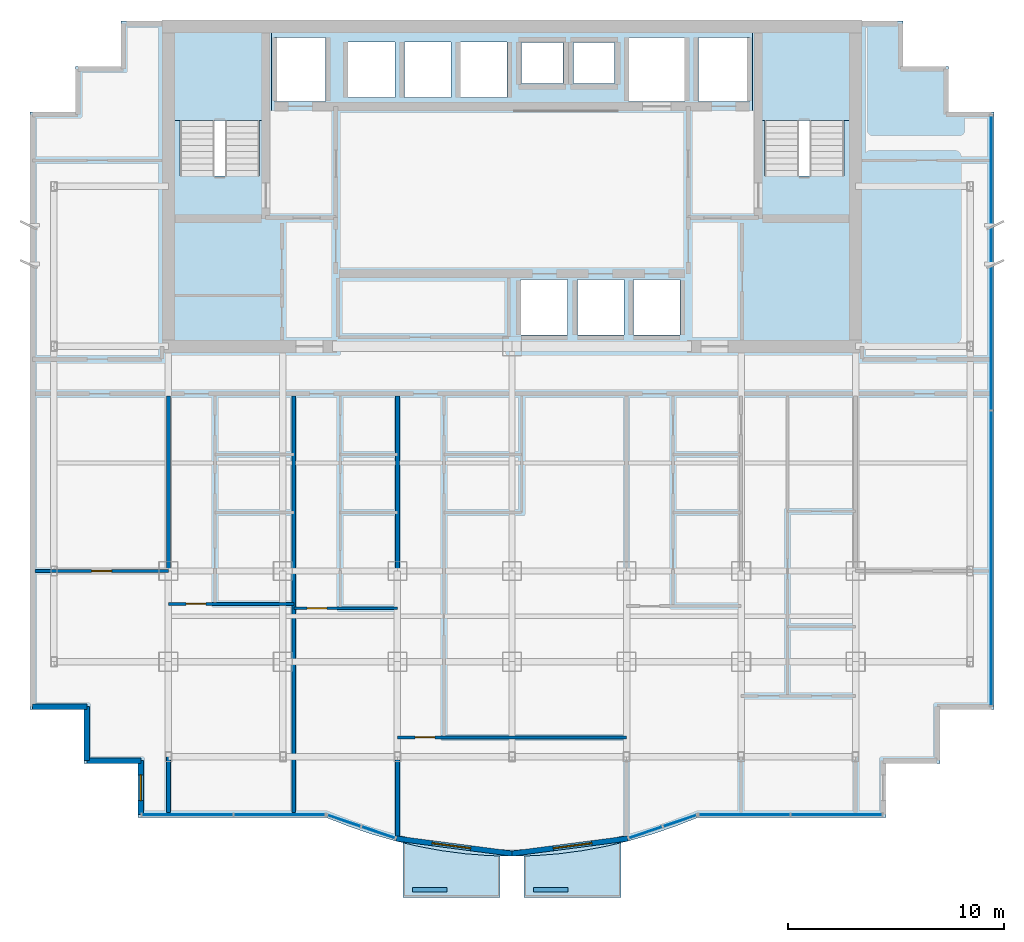
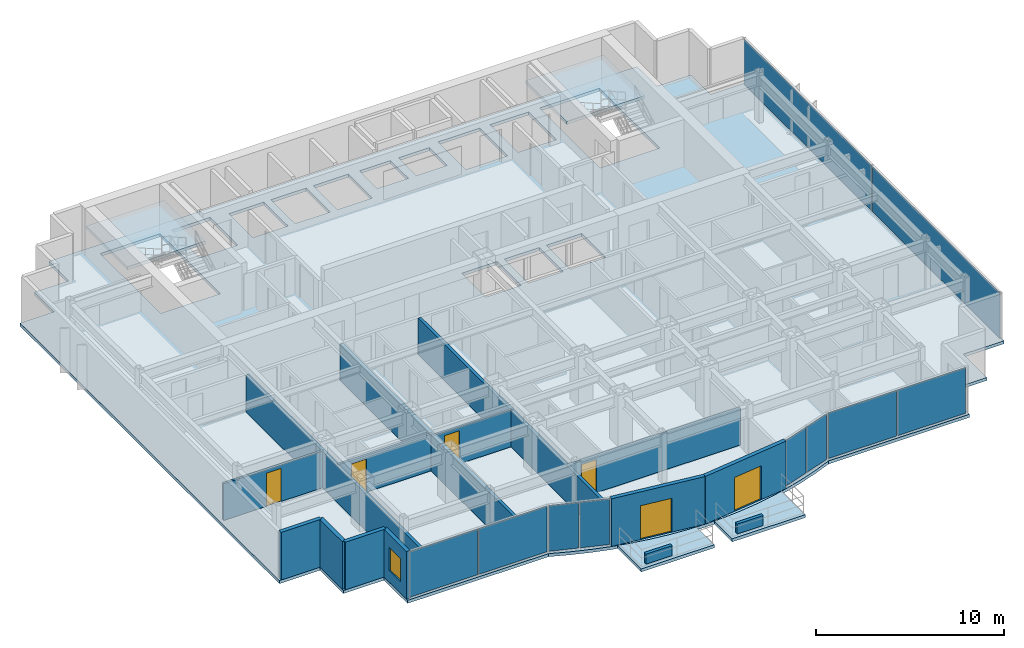
# One storey, part 7 of 13: 15 walls, 10 plates, 6 doors, 5 slabs, 1 window, 7 openings, 7 elements without a shape of their own.
"""IFC4 building model written with IfcOpenShell, lengths in metres."""

from ifc_helpers import new_model, si_unit, direction, frame, frame_2d, origin, origin_2d, place, context, subcontext, project, spatial, polyline, rectangle, outline, extrude, source, transform, mapped, material, layer, layer_set, type_object, element, fill, aggregate, save


model = new_model("IFC4")

# Units and contexts
model_context = context("Model", 3, precision=1e-05, world=origin(), true_north=direction((0.0, 1.0)))
body_context = subcontext(model_context, "Body", "Model", "MODEL_VIEW")
ifc_project = project(units=[si_unit("LENGTHUNIT", "METRE"), si_unit("AREAUNIT", "SQUARE_METRE"), si_unit("VOLUMEUNIT", "CUBIC_METRE"), si_unit("PLANEANGLEUNIT", "RADIAN"), si_unit("MASSUNIT", "GRAM", prefix="KILO")], contexts=[model_context])

# Site, building, storey
site_placement = place(None, origin())
site = spatial("IfcSite", under=ifc_project, at=site_placement, CompositionType="ELEMENT")
building_placement = place(site_placement, origin())
building = spatial("IfcBuilding", under=site, at=building_placement, Name="Qianlan Lanfeng Residences", CompositionType="ELEMENT")
storey_placement = place(building_placement, frame((0.0, 0.0, 139.199951171875)))
storey = spatial("IfcBuildingStorey", under=building, at=storey_placement, Name="L37", CompositionType="ELEMENT", Elevation=139.199951171875)

# Slabs
ifc_material_1 = material(Name="Concrete C42", Category="concrete")
ifc_layer_1 = layer(ifc_material_1, 0.199951171875)
ifc_layer_set_1 = layer_set([ifc_layer_1], Name="Concrete C42")
slab_type_1 = type_object("IfcSlabType", Name="S-BAL-200", PredefinedType="FLOOR", material=ifc_layer_set_1)
slab_1_placement = place(storey_placement, frame((0.0, 0.0, -0.199951171875)))
element("IfcSlab", 1, at=slab_1_placement, inside=storey, type_object=slab_type_1, Name="L37 Planted Tree Balcony Slab SB-W", PredefinedType="FLOOR", context=body_context, shape_type="SweptSolid", body=[
    extrude(outline(polyline([(25.949951171875, 1.614013671875), (25.422119140625, 1.6279296875), (24.344970703125, 1.712890625), (23.26708984375, 1.85302734375), (22.18994140625, 2.050048828125), (21.449951171875, 2.22412109375), (21.449951171875, -0.300048828125), (25.949951171875, -0.300048828125), (25.949951171875, 1.614013671875)])), origin(), (0.0, 0.0, 1.0), 0.199951171875),
])
slab_2_placement = place(storey_placement, frame((0.0, 0.0, -0.199951171875)))
element("IfcSlab", 2, at=slab_2_placement, inside=storey, type_object=slab_type_1, Name="L37 Planted Tree Balcony Slab SB-E", PredefinedType="FLOOR", context=body_context, shape_type="SweptSolid", body=[
    extrude(outline(polyline([(31.550048828125, 2.22412109375), (30.81005859375, 2.050048828125), (29.73193359375, 1.85302734375), (28.655029296875, 1.7119140625), (27.577880859375, 1.6279296875), (27.050048828125, 1.614013671875), (27.050048828125, -0.300048828125), (31.550048828125, -0.300048828125), (31.550048828125, 2.22412109375)])), origin(), (0.0, 0.0, 1.0), 0.199951171875),
])
ifc_layer_2 = layer(ifc_material_1, 0.199951171875)
ifc_layer_set_2 = layer_set([ifc_layer_2], Name="Concrete C42")
slab_type_2 = type_object("IfcSlabType", Name="S-FL-200", PredefinedType="FLOOR", material=ifc_layer_set_2)
slab_3_placement = place(storey_placement, frame((0.0, 0.0, -0.199951171875)))
element("IfcSlab", 3, at=slab_3_placement, inside=storey, type_object=slab_type_2, Name="L37 Structural Floor Slab", PredefinedType="FLOOR", context=body_context, shape_type="SweptSolid", body=[
    extrude(outline(polyline([(4.199951171875, 8.39990234375), (6.699951171875, 8.39990234375), (6.699951171875, 5.89990234375), (9.199951171875, 5.89990234375), (9.199951171875, 3.39990234375), (17.8798828125, 3.39990234375), (18.95703125, 2.97802734375), (20.034912109375, 2.612060546875), (21.112060546875, 2.302978515625), (22.18994140625, 2.050048828125), (23.26708984375, 1.85302734375), (24.344970703125, 1.712890625), (25.422119140625, 1.6279296875), (26.5, 1.60009765625), (27.577880859375, 1.6279296875), (28.655029296875, 1.7119140625), (29.73193359375, 1.85302734375), (30.81005859375, 2.050048828125), (31.886962890625, 2.302978515625), (32.965087890625, 2.612060546875), (34.0419921875, 2.97802734375), (35.1201171875, 3.39990234375), (43.800048828125, 3.39990234375), (43.800048828125, 5.89990234375), (46.300048828125, 5.89990234375), (46.300048828125, 8.39990234375), (48.800048828125, 8.39990234375), (48.800048828125, 36.050048828125), (46.699951171875, 36.050048828125), (46.699951171875, 38.14990234375), (44.60009765625, 38.14990234375), (44.60009765625, 40.25), (8.39990234375, 40.25), (8.39990234375, 38.14990234375), (6.300048828125, 38.14990234375), (6.300048828125, 36.050048828125), (4.199951171875, 36.050048828125), (4.199951171875, 8.39990234375)]), holes=[polyline([(11.139892578125, 33.080078125), (11.139892578125, 39.5), (14.820068359375, 39.5), (14.820068359375, 33.080078125), (11.139892578125, 33.080078125)]), polyline([(38.179931640625, 33.080078125), (38.179931640625, 39.5), (41.860107421875, 39.5), (41.860107421875, 33.080078125), (38.179931640625, 33.080078125)]), polyline([(15.52001953125, 36.52001953125), (15.52001953125, 39.47998046875), (17.8798828125, 39.47998046875), (17.8798828125, 36.52001953125), (15.52001953125, 36.52001953125)]), polyline([(35.1201171875, 36.52001953125), (35.1201171875, 39.47998046875), (37.47998046875, 39.47998046875), (37.47998046875, 36.52001953125), (35.1201171875, 36.52001953125)]), polyline([(31.919921875, 36.52001953125), (31.919921875, 39.47998046875), (34.47998046875, 39.47998046875), (34.47998046875, 36.52001953125), (31.919921875, 36.52001953125)]), polyline([(26.919921875, 25.719970703125), (26.919921875, 28.280029296875), (29.080078125, 28.280029296875), (29.080078125, 25.719970703125), (26.919921875, 25.719970703125)]), polyline([(29.52001953125, 25.719970703125), (29.52001953125, 28.280029296875), (31.679931640625, 28.280029296875), (31.679931640625, 25.719970703125), (29.52001953125, 25.719970703125)]), polyline([(32.1201171875, 25.719970703125), (32.1201171875, 28.280029296875), (34.280029296875, 28.280029296875), (34.280029296875, 25.719970703125), (32.1201171875, 25.719970703125)]), polyline([(18.919921875, 36.719970703125), (18.919921875, 39.280029296875), (21.080078125, 39.280029296875), (21.080078125, 36.719970703125), (18.919921875, 36.719970703125)]), polyline([(21.52001953125, 36.719970703125), (21.52001953125, 39.280029296875), (23.679931640625, 39.280029296875), (23.679931640625, 36.719970703125), (21.52001953125, 36.719970703125)]), polyline([(24.1201171875, 36.719970703125), (24.1201171875, 39.280029296875), (26.280029296875, 39.280029296875), (26.280029296875, 36.719970703125), (24.1201171875, 36.719970703125)]), polyline([(26.949951171875, 37.35009765625), (26.949951171875, 39.25), (28.85009765625, 39.25), (28.85009765625, 37.35009765625), (26.949951171875, 37.35009765625)]), polyline([(29.35009765625, 37.35009765625), (29.35009765625, 39.25), (31.25, 39.25), (31.25, 37.35009765625), (29.35009765625, 37.35009765625)])]), origin(), (0.0, 0.0, 1.0), 0.199951171875),
])

# Stair, slab
stair_type = type_object("IfcStairType", Name="STR-MAIN", PredefinedType="HALF_TURN_STAIR", material=ifc_material_1)
stair_1_placement = place(storey_placement, origin())
stair_1 = element("IfcStair", 4, at=stair_1_placement, inside=storey, type_object=stair_type, Name="L37 Exit Stair ST-1", PredefinedType="HALF_TURN_STAIR")
ifc_layer_3 = layer(ifc_material_1, 0.179931640625)
ifc_layer_set_3 = layer_set([ifc_layer_3], Name="Concrete C42")
slab_type_3 = type_object("IfcSlabType", Name="S-LND-180", PredefinedType="LANDING", material=ifc_layer_set_3)
slab_4_placement = place(storey_placement, frame((0.0, 0.0, 1.449951171875)))
slab_4 = element("IfcSlab", 5, at=slab_4_placement, type_object=slab_type_3, Name="ST-1 landing 1", PredefinedType="LANDING", context=body_context, shape_type="SweptSolid", body=[
    extrude(outline(polyline([(10.580078125, 35.659912109375), (15.3798828125, 35.659912109375), (15.3798828125, 40.050048828125), (10.580078125, 40.050048828125), (10.580078125, 35.659912109375)])), origin(), (0.0, 0.0, 1.0), 0.2001953125),
])
aggregate(stair_1, [slab_4])

stair_2_placement = place(storey_placement, origin())
stair_2 = element("IfcStair", 6, at=stair_2_placement, inside=storey, type_object=stair_type, Name="L37 Exit Stair ST-2", PredefinedType="HALF_TURN_STAIR")
slab_5_placement = place(storey_placement, frame((0.0, 0.0, 1.449951171875)))
slab_5 = element("IfcSlab", 7, at=slab_5_placement, type_object=slab_type_3, Name="ST-2 landing 1", PredefinedType="LANDING", context=body_context, shape_type="SweptSolid", body=[
    extrude(outline(polyline([(37.6201171875, 35.659912109375), (42.419921875, 35.659912109375), (42.419921875, 40.050048828125), (37.6201171875, 40.050048828125), (37.6201171875, 35.659912109375)])), origin(), (0.0, 0.0, 1.0), 0.2001953125),
])
aggregate(stair_2, [slab_5])

# Curtain wall, plates
ifc_material_2 = material(Name="Anodised Bronze Aluminium 6063-T6", Category="aluminium")
ifc_layer_4 = layer(ifc_material_2, 0.219970703125)
ifc_layer_set_4 = layer_set([ifc_layer_4], Name="Anodised Bronze Aluminium 6063-T6")
curtain_wall_type = type_object("IfcCurtainWallType", Name="CW-04", PredefinedType="NOTDEFINED", material=ifc_layer_set_4)
curtain_wall_1_placement = place(storey_placement, origin())
curtain_wall_1 = element("IfcCurtainWall", 8, at=curtain_wall_1_placement, inside=storey, type_object=curtain_wall_type, Name="L37 Unitised Curtain Wall CWR-L37-01 (CW-04)", PredefinedType="NOTDEFINED")
ifc_material_3 = material(Name="Dark Bronze Tinted Insulated Glass", Category="glass")
ifc_layer_5 = layer(ifc_material_3, 0.0380859375)
ifc_layer_set_5 = layer_set([ifc_layer_5], Name="Dark Bronze Tinted Insulated Glass")
plate_type_1 = type_object("IfcPlateType", Name="PNL-GLZ-BRZ", PredefinedType="CURTAIN_PANEL", material=ifc_layer_set_5)
shared_shape_1 = source(origin(), body_context, "Body", "SweptSolid", [
    extrude(rectangle(XDim=4.180908203125, YDim=0.0380859375, at=origin_2d()), origin(), (0.0, 0.0, 1.0), 2.951904296875),
])
plate_1_placement = place(storey_placement, frame((11.484619140625, 3.52001953125, 0.07421875), z_axis=(0.0, 0.0, 1.0), x_axis=(1.0, 0.0, 0.0)))
plate_1 = element("IfcPlate", 9, at=plate_1_placement, type_object=plate_type_1, Name="CWR-L37-01 Curtain Panel 1", PredefinedType="CURTAIN_PANEL", context=body_context, shape_type="MappedRepresentation", body=[
    mapped(shared_shape_1, transform((0.0, 0.0, 0.0), scale=1.0)),
])
plate_2_placement = place(storey_placement, frame((15.738525390625, 3.52001953125, 0.07421875), z_axis=(0.0, 0.0, 1.0), x_axis=(1.0, 0.0, 0.0)))
plate_2 = element("IfcPlate", 10, at=plate_2_placement, type_object=plate_type_1, Name="CWR-L37-01 Curtain Panel 2", PredefinedType="CURTAIN_PANEL", context=body_context, shape_type="MappedRepresentation", body=[
    mapped(shared_shape_1, transform((0.0, 0.0, 0.0), scale=1.0)),
])
aggregate(curtain_wall_1, [plate_1, plate_2])

# Curtain wall, plate
curtain_wall_2_placement = place(storey_placement, origin())
curtain_wall_2 = element("IfcCurtainWall", 11, at=curtain_wall_2_placement, inside=storey, type_object=curtain_wall_type, Name="L37 Unitised Curtain Wall CWR-L37-04 (CW-04)", PredefinedType="NOTDEFINED")
plate_3_placement = place(storey_placement, frame((37.261474609375, 3.52001953125, 0.07421875), z_axis=(0.0, 0.0, 1.0), x_axis=(1.0, 0.0, 0.0)))
plate_3 = element("IfcPlate", 12, at=plate_3_placement, type_object=plate_type_1, Name="CWR-L37-04 Curtain Panel 1", PredefinedType="CURTAIN_PANEL", context=body_context, shape_type="MappedRepresentation", body=[
    mapped(shared_shape_1, transform((0.0, 0.0, 0.0), scale=1.0)),
])

# Curtain wall, plates
curtain_wall_3_placement = place(storey_placement, origin())
curtain_wall_3 = element("IfcCurtainWall", 13, at=curtain_wall_3_placement, inside=storey, type_object=curtain_wall_type, Name="L37 Unitised Curtain Wall CWR-L37-02 (CW-04)", PredefinedType="NOTDEFINED")
shared_shape_2 = source(origin(), body_context, "Body", "SweptSolid", [
    extrude(rectangle(XDim=1.60009765625, YDim=0.0380859375, at=origin_2d()), origin(), (0.0, 0.0, 1.0), 2.951904296875),
])
plate_4_placement = place(storey_placement, frame((18.73046875, 3.23876953125, 0.07421875), z_axis=(0.0, 0.0, 1.0), x_axis=(0.946795963885, -0.321834433787, 0.0)))
plate_4 = element("IfcPlate", 14, at=plate_4_placement, type_object=plate_type_1, Name="CWR-L37-02 Curtain Panel 1", PredefinedType="CURTAIN_PANEL", context=body_context, shape_type="MappedRepresentation", body=[
    mapped(shared_shape_2, transform((0.0, 0.0, 0.0), scale=1.0)),
])
ifc_material_4 = material(Name="Perforated Anodised Bronze Aluminium Panel", Category="aluminium")
ifc_layer_6 = layer(ifc_material_4, 0.0419921875)
ifc_layer_set_6 = layer_set([ifc_layer_6], Name="Perforated Anodised Bronze Aluminium Panel")
plate_type_2 = type_object("IfcPlateType", Name="PNL-PRF-BRZ", PredefinedType="CURTAIN_PANEL", material=ifc_layer_set_6)
shared_shape_3 = source(origin(), body_context, "Body", "SweptSolid", [
    extrude(rectangle(XDim=1.60009765625, YDim=0.0419921875, at=origin_2d()), origin(), (0.0, 0.0, 1.0), 2.951904296875),
])
plate_5_placement = place(storey_placement, frame((20.314453125, 2.7001953125, 0.07421875), z_axis=(0.0, 0.0, 1.0), x_axis=(0.946795963885, -0.321834433787, 0.0)))
plate_5 = element("IfcPlate", 15, at=plate_5_placement, type_object=plate_type_2, Name="CWR-L37-02 Curtain Panel 2", PredefinedType="CURTAIN_PANEL", context=body_context, shape_type="MappedRepresentation", body=[
    mapped(shared_shape_3, transform((0.0, 0.0, 0.0), scale=1.0)),
])
aggregate(curtain_wall_3, [plate_4, plate_5])

curtain_wall_4_placement = place(storey_placement, origin())
curtain_wall_4 = element("IfcCurtainWall", 16, at=curtain_wall_4_placement, inside=storey, type_object=curtain_wall_type, Name="L37 Unitised Curtain Wall CWR-L37-03 (CW-04)", PredefinedType="NOTDEFINED")
shared_shape_4 = source(origin(), body_context, "Body", "SweptSolid", [
    extrude(rectangle(XDim=1.6005859375, YDim=0.0380859375, at=origin_2d()), origin(), (0.0, 0.0, 1.0), 2.951904296875),
])
plate_6_placement = place(storey_placement, frame((32.684814453125, 2.7001953125, 0.07421875), z_axis=(0.0, 0.0, 1.0), x_axis=(0.946826291861, 0.32174519894, 0.0)))
plate_6 = element("IfcPlate", 17, at=plate_6_placement, type_object=plate_type_1, Name="CWR-L37-03 Curtain Panel 1", PredefinedType="CURTAIN_PANEL", context=body_context, shape_type="MappedRepresentation", body=[
    mapped(shared_shape_4, transform((0.0, 0.0, 0.0), scale=1.0)),
])
plate_7_placement = place(storey_placement, frame((34.269287109375, 3.23876953125, 0.07421875), z_axis=(0.0, 0.0, 1.0), x_axis=(0.946826291861, 0.32174519894, 0.0)))
plate_7 = element("IfcPlate", 18, at=plate_7_placement, type_object=plate_type_1, Name="CWR-L37-03 Curtain Panel 2", PredefinedType="CURTAIN_PANEL", context=body_context, shape_type="MappedRepresentation", body=[
    mapped(shared_shape_4, transform((0.0, 0.0, 0.0), scale=1.0)),
])
aggregate(curtain_wall_4, [plate_6, plate_7])

# Plate
shared_shape_5 = source(origin(), body_context, "Body", "SweptSolid", [
    extrude(rectangle(XDim=4.180908203125, YDim=0.0419921875, at=origin_2d()), origin(), (0.0, 0.0, 1.0), 2.951904296875),
])
plate_8_placement = place(storey_placement, frame((41.515380859375, 3.52001953125, 0.07421875), z_axis=(0.0, 0.0, 1.0), x_axis=(1.0, 0.0, 0.0)))
plate_8 = element("IfcPlate", 19, at=plate_8_placement, type_object=plate_type_2, Name="CWR-L37-04 Curtain Panel 2", PredefinedType="CURTAIN_PANEL", context=body_context, shape_type="MappedRepresentation", body=[
    mapped(shared_shape_5, transform((0.0, 0.0, 0.0), scale=1.0)),
])

aggregate(curtain_wall_2, [plate_3, plate_8])

# Curtain wall, plates
curtain_wall_5_placement = place(storey_placement, origin())
curtain_wall_5 = element("IfcCurtainWall", 20, at=curtain_wall_5_placement, inside=storey, type_object=curtain_wall_type, Name="L37 Unitised Curtain Wall CWR-L37-05 (CW-04)", PredefinedType="NOTDEFINED")
shared_shape_6 = source(origin(), body_context, "Body", "SweptSolid", [
    extrude(rectangle(XDim=13.594482421875, YDim=0.0380859375, at=origin_2d()), origin(), (0.0, 0.0, 1.0), 2.951904296875),
])
plate_9_placement = place(storey_placement, frame((48.679931640625, 15.39111328125, 0.07421875), z_axis=(0.0, 0.0, 1.0), x_axis=(0.0, 1.0, 0.0)))
plate_9 = element("IfcPlate", 21, at=plate_9_placement, type_object=plate_type_1, Name="CWR-L37-05 Curtain Panel 1", PredefinedType="CURTAIN_PANEL", context=body_context, shape_type="MappedRepresentation", body=[
    mapped(shared_shape_6, transform((0.0, 0.0, 0.0), scale=1.0)),
])
plate_10_placement = place(storey_placement, frame((48.679931640625, 29.05859375, 0.07421875), z_axis=(0.0, 0.0, 1.0), x_axis=(0.0, 1.0, 0.0)))
plate_10 = element("IfcPlate", 22, at=plate_10_placement, type_object=plate_type_1, Name="CWR-L37-05 Curtain Panel 2", PredefinedType="CURTAIN_PANEL", context=body_context, shape_type="MappedRepresentation", body=[
    mapped(shared_shape_6, transform((0.0, 0.0, 0.0), scale=1.0)),
])
aggregate(curtain_wall_5, [plate_9, plate_10])

# Walls
ifc_layer_7 = layer(ifc_material_1, 0.239990234375)
ifc_layer_set_7 = layer_set([ifc_layer_7], Name="Concrete C42")
wall_type_1 = type_object("IfcWallType", Name="EW-240", PredefinedType="SOLIDWALL", material=ifc_layer_set_7)
for number, where, z_axis, x_axis, name in (
    (23, (4.320068359375, 8.52001953125, 0.0), (0.0, 0.0, 1.0), (1.0, 0.0, 0.0), "L37 Exterior Facade Spandrel Wall 1"),
    (24, (6.820068359375, 8.52001953125, 0.0), (0.0, 0.0, 1.0), (0.0, -1.0, 0.0), "L37 Exterior Facade Spandrel Wall 2"),
    (25, (6.820068359375, 6.02001953125, 0.0), (0.0, 0.0, 1.0), (1.0, 0.0, 0.0), "L37 Exterior Facade Spandrel Wall 3"),
):
    element("IfcWall", number, at=place(storey_placement, frame(where, z_axis=z_axis, x_axis=x_axis)), inside=storey, type_object=wall_type_1, Name=name, PredefinedType="SOLIDWALL", context=body_context, shape_type="SweptSolid", body=[
        extrude(rectangle(XDim=2.5, YDim=0.239990234375, at=frame_2d((1.25, 0.0))), origin(), (0.0, 0.0, 1.0), 3.10009765625),
    ])

# Wall, opening, window
wall_1_placement = place(storey_placement, frame((9.320068359375, 6.02001953125, 0.0), z_axis=(0.0, 0.0, 1.0), x_axis=(0.0, -1.0, 0.0)))
wall_1 = element("IfcWall", 26, at=wall_1_placement, inside=storey, type_object=wall_type_1, Name="L37 Exterior Facade Spandrel Wall 4", PredefinedType="SOLIDWALL", context=body_context, shape_type="SweptSolid", body=[
    extrude(rectangle(XDim=2.5, YDim=0.239990234375, at=frame_2d((1.25, 0.0))), origin(), (0.0, 0.0, 1.0), 3.10009765625),
])
opening_1_placement = place(wall_1_placement, frame((0.64990234375, 0.0, 0.75)))
opening_1 = element("IfcOpeningElement", 27, at=opening_1_placement, cuts=wall_1, Name="Opening W-03", PredefinedType="OPENING", context=body_context, shape_type="SweptSolid", body=[
    extrude(rectangle(XDim=1.199951171875, YDim=1.5, at=frame_2d((0.60009765625, 0.75))), frame((0.0, 0.1298828125, 0.0), z_axis=(0.0, -1.0, 0.0), x_axis=(1.0, 0.0, 0.0)), (0.0, 0.0, 1.0), 0.260009765625),
])
ifc_material_5 = material(Name="Anodised Bronze Aluminium Framed Double Glazing", Category="aluminium")
window_type = type_object("IfcWindowType", Name="W-03", PartitioningType="SINGLE_PANEL", PredefinedType="WINDOW", material=ifc_material_5)
window_placement = place(opening_1_placement, origin())
window = element("IfcWindow", 28, at=window_placement, inside=storey, type_object=window_type, Name="L37 Facade Punched Window W-03", OverallHeight=1.5, OverallWidth=1.199951171875, PartitioningType="SINGLE_PANEL", PredefinedType="WINDOW", context=body_context, shape_type="SweptSolid", body=[
    extrude(rectangle(XDim=1.199951171875, YDim=1.5, at=frame_2d((0.60009765625, 0.75))), frame((0.0, 0.030029296875, 0.0), z_axis=(0.0, -1.0, 0.0), x_axis=(1.0, 0.0, 0.0)), (0.0, 0.0, 1.0), 0.06005859375),
])
fill(opening_1, window)

# Wall, opening, door
wall_2_placement = place(storey_placement, frame((21.14208984375, 2.4189453125, 0.0), z_axis=(0.0, 0.0, 1.0), x_axis=(0.991597639478, -0.129360432053, 0.0)))
wall_2 = element("IfcWall", 29, at=wall_2_placement, inside=storey, type_object=wall_type_1, Name="L37 Terrace/Balcony Access Exterior Wall 5", PredefinedType="SOLIDWALL", context=body_context, shape_type="SweptSolid", body=[
    extrude(rectangle(XDim=5.4033203125, YDim=0.239990234375, at=frame_2d((2.70166015625, 0.0))), origin(), (0.0, 0.0, 1.0), 3.10009765625),
])
opening_2_placement = place(wall_2_placement, frame((1.672119140625, 0.0, 0.0)))
opening_2 = element("IfcOpeningElement", 30, at=opening_2_placement, cuts=wall_2, Name="Opening L37-D-SB-W", PredefinedType="OPENING", context=body_context, shape_type="SweptSolid", body=[
    extrude(rectangle(XDim=1.800048828125, YDim=2.199951171875, at=frame_2d((0.89990234375, 1.10009765625))), frame((0.0, 0.1298828125, 0.0), z_axis=(0.0, -1.0, 0.0), x_axis=(1.0, 0.0, 0.0)), (0.0, 0.0, 1.0), 0.260009765625),
])
ifc_material_6 = material(Name="Anodised Bronze Aluminium Framed Glass", Category="aluminium")
door_type_1 = type_object("IfcDoorType", Name="DT-BAL1", OperationType="NOTDEFINED", PredefinedType="DOOR", material=ifc_material_6)
door_1_placement = place(opening_2_placement, frame((1.800048828125, 0.0, 0.0), z_axis=(0.0, 0.0, 1.0), x_axis=(-1.0, 0.0, 0.0)))
door_1 = element("IfcDoor", 31, at=door_1_placement, inside=storey, type_object=door_type_1, Name="L37 Exterior Access Door SB-W", OperationType="DOUBLE_DOOR_SLIDING", OverallHeight=2.199951171875, OverallWidth=1.800048828125, PredefinedType="DOOR", context=body_context, shape_type="SweptSolid", body=[
    extrude(rectangle(XDim=1.800048828125, YDim=2.199951171875, at=frame_2d((0.89990234375, 1.10009765625))), frame((0.0, 0.02490234375, 0.0), z_axis=(0.0, -1.0, 0.0), x_axis=(1.0, 0.0, 0.0)), (0.0, 0.0, 1.0), 0.050048828125),
])
fill(opening_2, door_1)

wall_3_placement = place(storey_placement, frame((26.5, 1.719970703125, 0.0), z_axis=(0.0, 0.0, 1.0), x_axis=(0.991594614239, 0.129383619568, 0.0)))
wall_3 = element("IfcWall", 32, at=wall_3_placement, inside=storey, type_object=wall_type_1, Name="L37 Terrace/Balcony Access Exterior Wall 6", PredefinedType="SOLIDWALL", context=body_context, shape_type="SweptSolid", body=[
    extrude(rectangle(XDim=5.40234375, YDim=0.239990234375, at=frame_2d((2.701171875, 0.0))), origin(), (0.0, 0.0, 1.0), 3.10009765625),
])
opening_3_placement = place(wall_3_placement, frame((1.930908203125, 0.0, 0.0)))
opening_3 = element("IfcOpeningElement", 33, at=opening_3_placement, cuts=wall_3, Name="Opening L37-D-SB-E", PredefinedType="OPENING", context=body_context, shape_type="SweptSolid", body=[
    extrude(rectangle(XDim=1.800048828125, YDim=2.199951171875, at=frame_2d((0.89990234375, 1.10009765625))), frame((0.0, 0.1298828125, 0.0), z_axis=(0.0, -1.0, 0.0), x_axis=(1.0, 0.0, 0.0)), (0.0, 0.0, 1.0), 0.260009765625),
])
door_2_placement = place(opening_3_placement, frame((1.800048828125, 0.0, 0.0), z_axis=(0.0, 0.0, 1.0), x_axis=(-1.0, 0.0, 0.0)))
door_2 = element("IfcDoor", 34, at=door_2_placement, inside=storey, type_object=door_type_1, Name="L37 Exterior Access Door SB-E", OperationType="DOUBLE_DOOR_SLIDING", OverallHeight=2.199951171875, OverallWidth=1.800048828125, PredefinedType="DOOR", context=body_context, shape_type="SweptSolid", body=[
    extrude(rectangle(XDim=1.800048828125, YDim=2.199951171875, at=frame_2d((0.89990234375, 1.10009765625))), frame((0.0, 0.02490234375, 0.0), z_axis=(0.0, -1.0, 0.0), x_axis=(1.0, 0.0, 0.0)), (0.0, 0.0, 1.0), 0.050048828125),
])
fill(opening_3, door_2)

# Walls
ifc_layer_8 = layer(ifc_material_1, 0.199951171875)
ifc_layer_set_8 = layer_set([ifc_layer_8], Name="Concrete C42")
wall_type_2 = type_object("IfcWallType", Name="PL-TREE-200", PredefinedType="PARAPET", material=ifc_layer_set_8)
for number, where, z_axis, x_axis, name in (
    (35, (21.89990234375, 0.050048828125, 0.0), (0.0, 0.0, 1.0), (1.0, 0.0, 0.0), "L37 Balcony Tree Planter Curb SB-W"),
    (36, (27.5, 0.050048828125, 0.0), (0.0, 0.0, 1.0), (1.0, 0.0, 0.0), "L37 Balcony Tree Planter Curb SB-E"),
):
    element("IfcWall", number, at=place(storey_placement, frame(where, z_axis=z_axis, x_axis=x_axis)), inside=storey, type_object=wall_type_2, Name=name, PredefinedType="PARAPET", context=body_context, shape_type="SweptSolid", body=[
        extrude(rectangle(XDim=1.60009765625, YDim=0.199951171875, at=frame_2d((0.800048828125, 0.0))), origin(), (0.0, 0.0, 1.0), 0.650146484375),
    ])

# Wall, opening, door
ifc_material_7 = material(Name="Moisture-Resistant Gypsum Partition 135 mm")
ifc_layer_9 = layer(ifc_material_7, 0.135009765625)
ifc_layer_set_9 = layer_set([ifc_layer_9], Name="Moisture-Resistant Gypsum Partition 135 mm")
wall_type_3 = type_object("IfcWallType", Name="PW-135", PredefinedType="PARTITIONING", material=ifc_layer_set_9)
wall_4_placement = place(storey_placement, frame((10.60009765625, 13.27490234375, 0.0), z_axis=(0.0, 0.0, 1.0), x_axis=(1.0, 0.0, 0.0)))
wall_4 = element("IfcWall", 37, at=wall_4_placement, inside=storey, type_object=wall_type_3, Name="L37 U01 Living Divider", PredefinedType="PARTITIONING", context=body_context, shape_type="SweptSolid", body=[
    extrude(rectangle(XDim=5.7998046875, YDim=0.135009765625, at=frame_2d((2.89990234375, 0.0))), origin(), (0.0, 0.0, 1.0), 2.380126953125),
])
opening_4_placement = place(wall_4_placement, frame((0.81494140625, 0.0, 0.0)))
opening_4 = element("IfcOpeningElement", 38, at=opening_4_placement, cuts=wall_4, Name="Opening L37-D16", PredefinedType="OPENING", context=body_context, shape_type="SweptSolid", body=[
    extrude(rectangle(XDim=0.919921875, YDim=2.14990234375, at=frame_2d((0.4599609375, 1.074951171875))), frame((0.0, 0.07763671875, 0.0), z_axis=(0.0, -1.0, 0.0), x_axis=(1.0, 0.0, 0.0)), (0.0, 0.0, 1.0), 0.155029296875),
])
ifc_material_8 = material(Name="Glazed Timber Kitchen/Study Door", Category="wood")
door_type_2 = type_object("IfcDoorType", Name="DT-INT", OperationType="NOTDEFINED", PredefinedType="DOOR", material=ifc_material_8)
door_3_placement = place(opening_4_placement, origin())
door_3 = element("IfcDoor", 39, at=door_3_placement, inside=storey, type_object=door_type_2, Name="L37 U01 Living Passage Door L37-D16 (DT-INT)", OperationType="SINGLE_SWING_LEFT", OverallHeight=2.14990234375, OverallWidth=0.919921875, PredefinedType="DOOR", context=body_context, shape_type="SweptSolid", body=[
    extrude(rectangle(XDim=0.919921875, YDim=2.14990234375, at=frame_2d((0.4599609375, 1.074951171875))), frame((0.0, 0.02490234375, 0.0), z_axis=(0.0, -1.0, 0.0), x_axis=(1.0, 0.0, 0.0)), (0.0, 0.0, 1.0), 0.050048828125),
])
fill(opening_4, door_3)

wall_5_placement = place(storey_placement, frame((16.39990234375, 13.075927734375, 0.0), z_axis=(0.0, 0.0, 1.0), x_axis=(1.0, 0.0, 0.0)))
wall_5 = element("IfcWall", 40, at=wall_5_placement, inside=storey, type_object=wall_type_3, Name="L37 U02 Living Divider", PredefinedType="PARTITIONING", context=body_context, shape_type="SweptSolid", body=[
    extrude(rectangle(XDim=4.800048828125, YDim=0.135009765625, at=frame_2d((2.39990234375, 0.0))), origin(), (0.0, 0.0, 1.0), 2.380126953125),
])
opening_5_placement = place(wall_5_placement, frame((0.614990234375, 0.0, 0.0)))
opening_5 = element("IfcOpeningElement", 41, at=opening_5_placement, cuts=wall_5, Name="Opening L37-D21", PredefinedType="OPENING", context=body_context, shape_type="SweptSolid", body=[
    extrude(rectangle(XDim=0.919921875, YDim=2.14990234375, at=frame_2d((0.4599609375, 1.074951171875))), frame((0.0, 0.07763671875, 0.0), z_axis=(0.0, -1.0, 0.0), x_axis=(1.0, 0.0, 0.0)), (0.0, 0.0, 1.0), 0.155029296875),
])
door_4_placement = place(opening_5_placement, frame((0.919921875, 0.0, 0.0), z_axis=(0.0, 0.0, 1.0), x_axis=(-1.0, 0.0, 0.0)))
door_4 = element("IfcDoor", 42, at=door_4_placement, inside=storey, type_object=door_type_2, Name="L37 U02 Living Passage Door L37-D21 (DT-INT)", OperationType="SINGLE_SWING_RIGHT", OverallHeight=2.14990234375, OverallWidth=0.919921875, PredefinedType="DOOR", context=body_context, shape_type="SweptSolid", body=[
    extrude(rectangle(XDim=0.919921875, YDim=2.14990234375, at=frame_2d((0.4599609375, 1.074951171875))), frame((0.0, 0.02490234375, 0.0), z_axis=(0.0, -1.0, 0.0), x_axis=(1.0, 0.0, 0.0)), (0.0, 0.0, 1.0), 0.050048828125),
])
fill(opening_5, door_4)

wall_6_placement = place(storey_placement, frame((21.199951171875, 7.10302734375, 0.0), z_axis=(0.0, 0.0, 1.0), x_axis=(1.0, 0.0, 0.0)))
wall_6 = element("IfcWall", 43, at=wall_6_placement, inside=storey, type_object=wall_type_3, Name="L37 U03 Living Divider", PredefinedType="PARTITIONING", context=body_context, shape_type="SweptSolid", body=[
    extrude(rectangle(XDim=10.60009765625, YDim=0.135009765625, at=frame_2d((5.300048828125, 0.0))), origin(), (0.0, 0.0, 1.0), 2.380126953125),
])
opening_6_placement = place(wall_6_placement, frame((0.81494140625, 0.0, 0.0)))
opening_6 = element("IfcOpeningElement", 44, at=opening_6_placement, cuts=wall_6, Name="Opening L37-D26", PredefinedType="OPENING", context=body_context, shape_type="SweptSolid", body=[
    extrude(rectangle(XDim=0.919921875, YDim=2.14990234375, at=frame_2d((0.4599609375, 1.074951171875))), frame((0.0, 0.07763671875, 0.0), z_axis=(0.0, -1.0, 0.0), x_axis=(1.0, 0.0, 0.0)), (0.0, 0.0, 1.0), 0.155029296875),
])
door_5_placement = place(opening_6_placement, origin())
door_5 = element("IfcDoor", 45, at=door_5_placement, inside=storey, type_object=door_type_2, Name="L37 U03 Living Passage Door L37-D26 (DT-INT)", OperationType="SINGLE_SWING_LEFT", OverallHeight=2.14990234375, OverallWidth=0.919921875, PredefinedType="DOOR", context=body_context, shape_type="SweptSolid", body=[
    extrude(rectangle(XDim=0.919921875, YDim=2.14990234375, at=frame_2d((0.4599609375, 1.074951171875))), frame((0.0, 0.02490234375, 0.0), z_axis=(0.0, -1.0, 0.0), x_axis=(1.0, 0.0, 0.0)), (0.0, 0.0, 1.0), 0.050048828125),
])
fill(opening_6, door_5)

wall_7_placement = place(storey_placement, frame((4.419921875, 14.800048828125, 0.0), z_axis=(0.0, 0.0, 1.0), x_axis=(1.0, 0.0, 0.0)))
wall_7 = element("IfcWall", 46, at=wall_7_placement, inside=storey, type_object=wall_type_3, Name="L37 SWP Mid Partition", PredefinedType="PARTITIONING", context=body_context, shape_type="SweptSolid", body=[
    extrude(rectangle(XDim=6.18017578125, YDim=0.135009765625, at=frame_2d((3.090087890625, 0.0))), origin(), (0.0, 0.0, 1.0), 2.380126953125),
])
opening_7_placement = place(wall_7_placement, frame((2.6298828125, 0.0, 0.0)))
opening_7 = element("IfcOpeningElement", 47, at=opening_7_placement, cuts=wall_7, Name="Opening L37-D40", PredefinedType="OPENING", context=body_context, shape_type="SweptSolid", body=[
    extrude(rectangle(XDim=0.919921875, YDim=2.14990234375, at=frame_2d((0.4599609375, 1.074951171875))), frame((0.0, 0.07763671875, 0.0), z_axis=(0.0, -1.0, 0.0), x_axis=(1.0, 0.0, 0.0)), (0.0, 0.0, 1.0), 0.155029296875),
])
door_6_placement = place(opening_7_placement, origin())
door_6 = element("IfcDoor", 48, at=door_6_placement, inside=storey, type_object=door_type_2, Name="L37 SWP Inner Door L37-D40 (DT-INT)", OperationType="SINGLE_SWING_RIGHT", OverallHeight=2.14990234375, OverallWidth=0.919921875, PredefinedType="DOOR", context=body_context, shape_type="SweptSolid", body=[
    extrude(rectangle(XDim=0.919921875, YDim=2.14990234375, at=frame_2d((0.4599609375, 1.074951171875))), frame((0.0, 0.02490234375, 0.0), z_axis=(0.0, -1.0, 0.0), x_axis=(1.0, 0.0, 0.0)), (0.0, 0.0, 1.0), 0.050048828125),
])
fill(opening_7, door_6)

# Walls
ifc_material_9 = material(Name="Double-Layer Acoustic Gypsum Stud Wall 180 mm")
ifc_layer_10 = layer(ifc_material_9, 0.179931640625)
ifc_layer_set_10 = layer_set([ifc_layer_10], Name="Double-Layer Acoustic Gypsum Stud Wall 180 mm")
wall_type_4 = type_object("IfcWallType", Name="PW-180", PredefinedType="PARTITIONING", material=ifc_layer_set_10)
for number, where, z_axis, x_axis, name in (
    (49, (10.60009765625, 3.6201171875, 0.0), (0.0, 0.0, 1.0), (0.0, 1.0, 0.0), "L37 Wing Boundary Party Wall W0"),
    (50, (16.39990234375, 3.6201171875, 0.0), (0.0, 0.0, 1.0), (0.0, 1.0, 0.0), "L37 Inter-Tenancy Party Wall 2"),
):
    element("IfcWall", number, at=place(storey_placement, frame(where, z_axis=z_axis, x_axis=x_axis)), inside=storey, type_object=wall_type_4, Name=name, PredefinedType="PARTITIONING", context=body_context, shape_type="SweptSolid", body=[
        extrude(rectangle(XDim=19.27978515625, YDim=0.179931640625, at=frame_2d((9.639892578125, 0.0))), origin(), (0.0, 0.0, 1.0), 2.380126953125),
    ])
wall_8_placement = place(storey_placement, frame((21.199951171875, 2.508056640625, 0.0), z_axis=(0.0, 0.0, 1.0), x_axis=(0.0, 1.0, 0.0)))
element("IfcWall", 51, at=wall_8_placement, inside=storey, type_object=wall_type_4, Name="L37 Inter-Tenancy Party Wall 3", PredefinedType="PARTITIONING", context=body_context, shape_type="SweptSolid", body=[
    extrude(rectangle(XDim=20.391845703125, YDim=0.179931640625, at=frame_2d((10.19580078125, 0.0))), origin(), (0.0, 0.0, 1.0), 2.380126953125),
])

save(model, "model.ifc")
